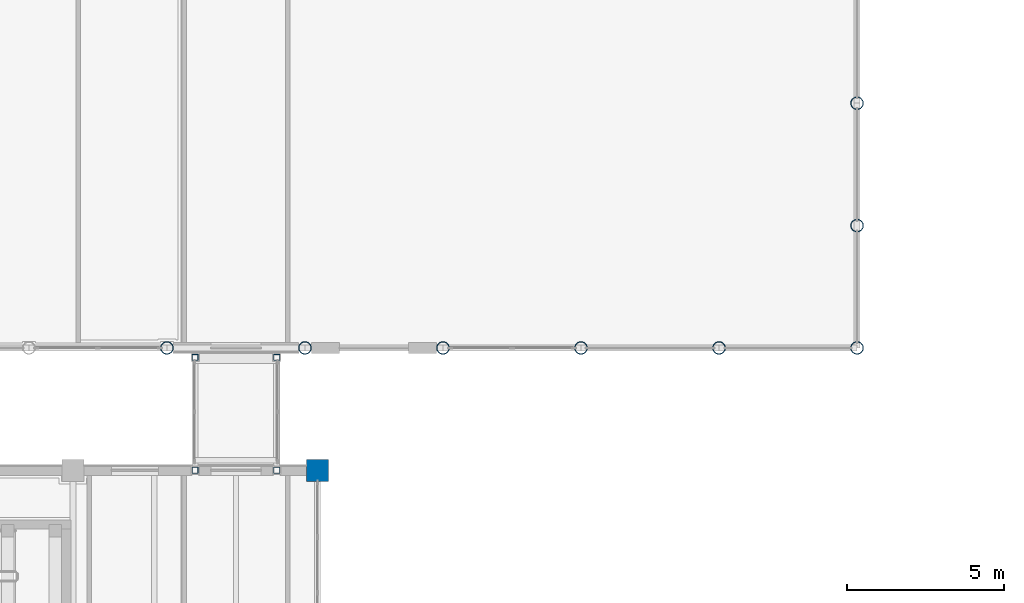
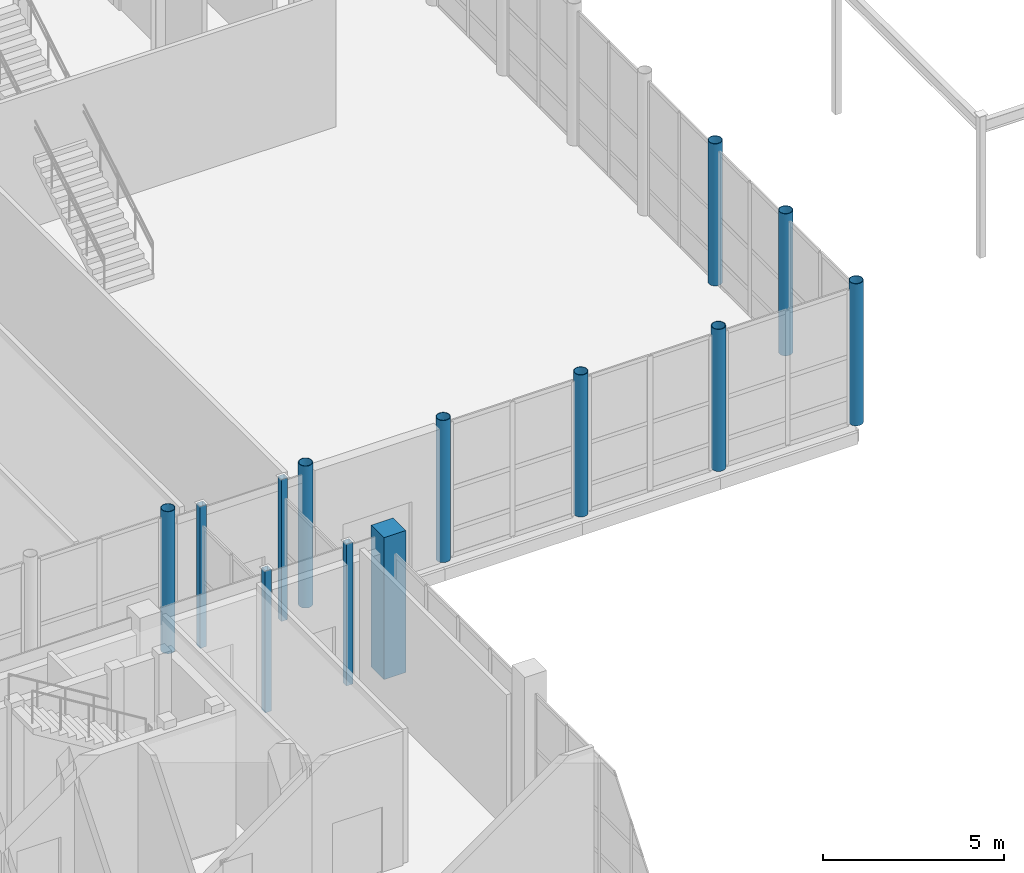
# One storey, part 9 of 131: 13 columns.
"""IFC4 building model written with IfcOpenShell, lengths in metres."""

from ifc_helpers import new_model, si_unit, direction, frame, origin, origin_2d, place, context, subcontext, project, spatial, rectangle, hollow_rectangle, hollow_circle, extrude, material, material_profile, profile_set, type_object, element, save


model = new_model("IFC4")

# Units and contexts
model_context = context("Model", 3, precision=1e-05, world=origin(), true_north=direction((0.0, 1.0)))
body_context = subcontext(model_context, "Body", "Model", "MODEL_VIEW")
ifc_project = project(units=[si_unit("LENGTHUNIT", "METRE"), si_unit("AREAUNIT", "SQUARE_METRE"), si_unit("VOLUMEUNIT", "CUBIC_METRE"), si_unit("PLANEANGLEUNIT", "RADIAN"), si_unit("MASSUNIT", "GRAM", prefix="KILO")], contexts=[model_context])

# Site, building, storey
site_placement = place(None, origin())
site = spatial("IfcSite", under=ifc_project, at=site_placement, CompositionType="ELEMENT")
building_placement = place(site_placement, origin())
building = spatial("IfcBuilding", under=site, at=building_placement, Name="Celorna Specialist Clinic", CompositionType="ELEMENT")
storey_placement = place(building_placement, origin())
storey = spatial("IfcBuildingStorey", under=building, at=storey_placement, Name="L00", CompositionType="ELEMENT", Elevation=0.0)

# Columns
ifc_material_1 = material(Name="Concrete C40/50", Category="concrete")
ifc_material_profile_1 = material_profile(ifc_material_1, rectangle(XDim=0.699951171875, YDim=0.699951171875, at=origin_2d()), Name="RC 700x700")
ifc_profile_set_1 = profile_set([ifc_material_profile_1], Name="Concrete C40/50")
column_type_1 = type_object("IfcColumnType", Name="CT-02", PredefinedType="COLUMN", material=ifc_profile_set_1)
column_placement = place(storey_placement, frame((85.800048828125, 42.89990234375, 0.0), z_axis=(0.0, 0.0, 1.0), x_axis=(1.0, 0.0, 0.0)))
element("IfcColumn", 1, at=column_placement, inside=storey, type_object=column_type_1, Name="Column CT-02 L00 X12/YH", PredefinedType="COLUMN", context=body_context, shape_type="SweptSolid", body=[
    extrude(rectangle(XDim=0.699951171875, YDim=0.699951171875, at=origin_2d()), origin(), (0.0, 0.0, 1.0), 4.800048828125),
])
ifc_material_2 = material(Name="Steel S355", Category="steel")
ifc_material_profile_2 = material_profile(ifc_material_2, hollow_circle(Radius=0.203125, WallThickness=0.01611328125, at=origin_2d()), Name="CHS 406.4x16")
ifc_profile_set_2 = profile_set([ifc_material_profile_2], Name="Steel S355")
column_type_2 = type_object("IfcColumnType", Name="CT-12", PredefinedType="COLUMN", material=ifc_profile_set_2)
for number, where, z_axis, x_axis, name in (
    (2, (81.0, 46.800048828125, 0.0), (0.0, 0.0, 1.0), (1.0, 0.0, 0.0), "Column CT-12 L00 X11/YJ"),
    (3, (85.39990234375, 46.800048828125, 0.0), (0.0, 0.0, 1.0), (1.0, 0.0, 0.0), "Column CT-12 L00 X12/YJ"),
    (4, (89.800048828125, 46.800048828125, 0.0), (0.0, 0.0, 1.0), (1.0, 0.0, 0.0), "Column CT-12 L00 X13/YJ"),
    (5, (94.199951171875, 46.800048828125, 0.0), (0.0, 0.0, 1.0), (1.0, 0.0, 0.0), "Column CT-12 L00 X13/YJ"),
    (6, (98.60009765625, 46.800048828125, 0.0), (0.0, 0.0, 1.0), (1.0, 0.0, 0.0), "Column CT-12 L00 X14/YJ"),
    (7, (103.0, 46.800048828125, 0.0), (0.0, 0.0, 1.0), (1.0, 0.0, 0.0), "Column CT-12 L00 X14A/YJ"),
    (8, (103.0, 50.699951171875, 0.0), (0.0, 0.0, 1.0), (1.0, 0.0, 0.0), "Column CT-12 L00 X14A/YK"),
    (9, (103.0, 54.60009765625, 0.0), (0.0, 0.0, 1.0), (1.0, 0.0, 0.0), "Column CT-12 L00 X14A/YK"),
):
    element("IfcColumn", number, at=place(storey_placement, frame(where, z_axis=z_axis, x_axis=x_axis)), inside=storey, type_object=column_type_2, Name=name, PredefinedType="COLUMN", context=body_context, shape_type="SweptSolid", body=[
        extrude(hollow_circle(Radius=0.203125, WallThickness=0.01611328125, at=origin_2d()), origin(), (0.0, 0.0, 1.0), 4.800048828125),
    ])
ifc_material_profile_3 = material_profile(ifc_material_2, hollow_rectangle(XDim=0.199951171875, YDim=0.199951171875, WallThickness=0.010009765625, at=origin_2d()), Name="SHS 200x200x10")
ifc_profile_set_3 = profile_set([ifc_material_profile_3], Name="Steel S355")
column_type_3 = type_object("IfcColumnType", Name="CT-15", PredefinedType="COLUMN", material=ifc_profile_set_3)
for number, where, z_axis, x_axis, name in (
    (10, (81.89990234375, 42.89990234375, 0.0), (0.0, 0.0, 1.0), (1.0, 0.0, 0.0), "Column CT-15 L00 X11/YH"),
    (11, (84.5, 42.89990234375, 0.0), (0.0, 0.0, 1.0), (1.0, 0.0, 0.0), "Column CT-15 L00 X12/YH"),
    (12, (81.89990234375, 46.5, 0.0), (0.0, 0.0, 1.0), (1.0, 0.0, 0.0), "Column CT-15 L00 X11/YJ"),
    (13, (84.5, 46.5, 0.0), (0.0, 0.0, 1.0), (1.0, 0.0, 0.0), "Column CT-15 L00 X12/YJ"),
):
    element("IfcColumn", number, at=place(storey_placement, frame(where, z_axis=z_axis, x_axis=x_axis)), inside=storey, type_object=column_type_3, Name=name, PredefinedType="COLUMN", context=body_context, shape_type="SweptSolid", body=[
        extrude(hollow_rectangle(XDim=0.199951171875, YDim=0.199951171875, WallThickness=0.010009765625, at=origin_2d()), origin(), (0.0, 0.0, 1.0), 4.800048828125),
    ])

save(model, "model.ifc")
